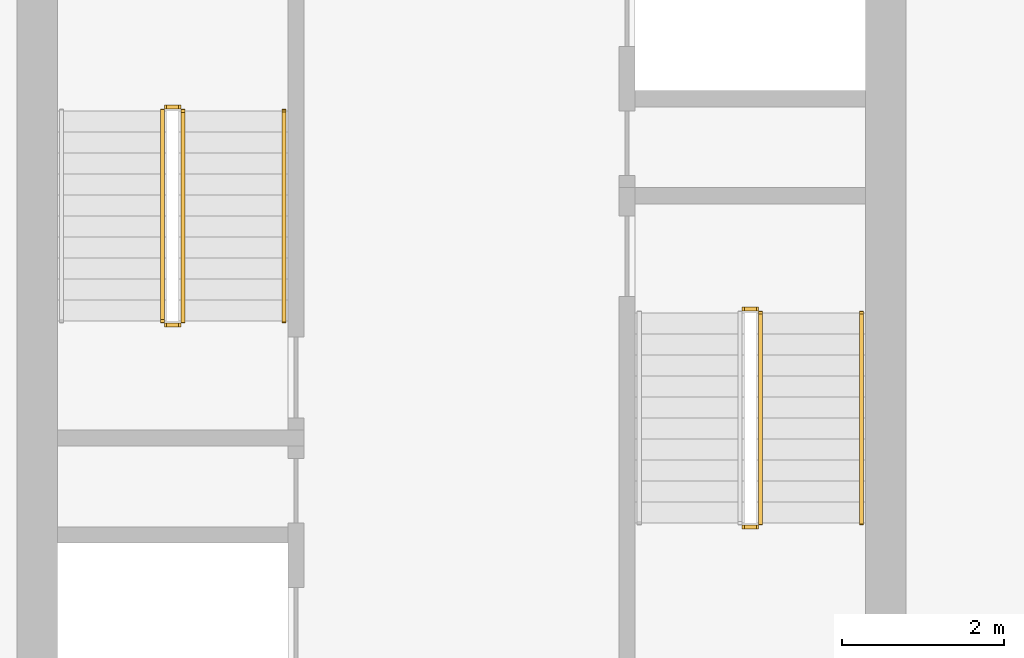
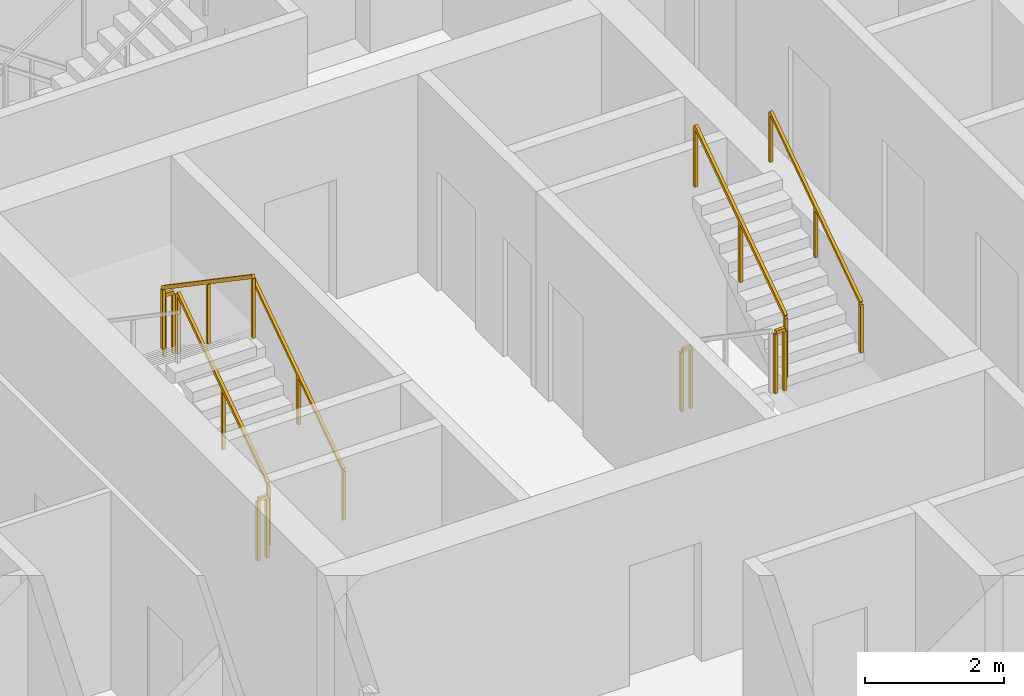
# One storey, part 13 of 16: 9 railings.
"""IFC4 building model written with IfcOpenShell, lengths in metres."""

from ifc_helpers import new_model, si_unit, direction, frame, origin, origin_2d, place, context, subcontext, project, spatial, rectangle, extrude, material, type_object, element, save


model = new_model("IFC4")

# Units and contexts
model_context = context("Model", 3, precision=1e-05, world=origin(), true_north=direction((0.0, 1.0)))
body_context = subcontext(model_context, "Body", "Model", "MODEL_VIEW")
ifc_project = project(units=[si_unit("LENGTHUNIT", "METRE"), si_unit("AREAUNIT", "SQUARE_METRE"), si_unit("VOLUMEUNIT", "CUBIC_METRE"), si_unit("PLANEANGLEUNIT", "RADIAN"), si_unit("MASSUNIT", "GRAM", prefix="KILO")], contexts=[model_context])

# Site, building, storey
site_placement = place(None, origin())
site = spatial("IfcSite", under=ifc_project, at=site_placement, CompositionType="ELEMENT")
building_placement = place(site_placement, origin())
building = spatial("IfcBuilding", under=site, at=building_placement, Name="Khepri Terraces", CompositionType="ELEMENT")
storey_placement = place(building_placement, frame((0.0, 0.0, 172.800048828125)))
storey = spatial("IfcBuildingStorey", under=building, at=storey_placement, Name="L41", CompositionType="ELEMENT", Elevation=172.800048828125)

# Railings
ifc_material = material(Name="Stainless steel 316", Category="steel")
railing_type_1 = type_object("IfcRailingType", Name="RL-CORE-GUARD", PredefinedType="GUARDRAIL", material=ifc_material)
railing_1_placement = place(storey_placement, frame((-3.449951171875, -0.050048828125, 0.17724609375)))
element("IfcRailing", 1, at=railing_1_placement, inside=storey, type_object=railing_type_1, Name="L41 ST-1 stair guard 1", PredefinedType="GUARDRAIL", context=body_context, shape_type="SweptSolid", body=[
    extrude(rectangle(XDim=0.050048828125, YDim=0.06005859375, at=origin_2d()), frame((0.0, 0.0, 1.070068359375), z_axis=(0.0, 0.826240473404, 0.563317565952), x_axis=(-1.0, 0.0, 0.0)), (0.0, 0.0, 1.0), 3.14697265625),
    extrude(rectangle(XDim=0.050048828125, YDim=0.050048828125, at=origin_2d()), origin(), (0.0, 0.0, 1.0), 1.0400390625),
    extrude(rectangle(XDim=0.050048828125, YDim=0.050048828125, at=origin_2d()), frame((0.0, 1.300048828125, 0.88623046875)), (0.0, 0.0, 1.0), 1.0400390625),
    extrude(rectangle(XDim=0.050048828125, YDim=0.050048828125, at=origin_2d()), frame((0.0, 2.60009765625, 1.772705078125)), (0.0, 0.0, 1.0), 1.0400390625),
])
railing_2_placement = place(storey_placement, frame((-3.5, 2.60009765625, 1.949951171875)))
element("IfcRailing", 2, at=railing_2_placement, inside=storey, type_object=railing_type_1, Name="L41 ST-1 stair guard 2", PredefinedType="GUARDRAIL", context=body_context, shape_type="SweptSolid", body=[
    extrude(rectangle(XDim=0.050048828125, YDim=0.06005859375, at=origin_2d()), frame((0.0, 0.0, 1.070068359375), z_axis=(-1.0, 0.0, 0.0), x_axis=(0.0, -1.0, 0.0)), (0.0, 0.0, 1.0), 0.14990234375),
    extrude(rectangle(XDim=0.050048828125, YDim=0.050048828125, at=origin_2d()), origin(), (0.0, 0.0, 1.0), 1.0400390625),
    extrude(rectangle(XDim=0.050048828125, YDim=0.050048828125, at=origin_2d()), frame((-0.14990234375, 0.0, 0.0)), (0.0, 0.0, 1.0), 1.0400390625),
])
railing_3_placement = place(storey_placement, frame((-3.699951171875, 2.550048828125, 2.127197265625)))
element("IfcRailing", 3, at=railing_3_placement, inside=storey, type_object=railing_type_1, Name="L41 ST-1 stair guard 3", PredefinedType="GUARDRAIL", context=body_context, shape_type="SweptSolid", body=[
    extrude(rectangle(XDim=0.050048828125, YDim=0.06005859375, at=origin_2d()), frame((0.0, 0.0, 1.070068359375), z_axis=(0.0, -0.826240473404, 0.563317565952), x_axis=(1.0, 0.0, 0.0)), (0.0, 0.0, 1.0), 3.14697265625),
    extrude(rectangle(XDim=0.050048828125, YDim=0.050048828125, at=origin_2d()), origin(), (0.0, 0.0, 1.0), 1.0400390625),
    extrude(rectangle(XDim=0.050048828125, YDim=0.050048828125, at=origin_2d()), frame((0.0, -1.300048828125, 0.88623046875)), (0.0, 0.0, 1.0), 1.0400390625),
    extrude(rectangle(XDim=0.050048828125, YDim=0.050048828125, at=origin_2d()), frame((0.0, -2.60009765625, 1.772705078125)), (0.0, 0.0, 1.0), 1.0400390625),
])
railing_4_placement = place(storey_placement, frame((-3.5, -0.10009765625, 0.0)))
element("IfcRailing", 4, at=railing_4_placement, inside=storey, type_object=railing_type_1, Name="L41 ST-1 stair guard 4", PredefinedType="GUARDRAIL", context=body_context, shape_type="SweptSolid", body=[
    extrude(rectangle(XDim=0.050048828125, YDim=0.06005859375, at=origin_2d()), frame((0.0, 0.0, 1.070068359375), z_axis=(-1.0, 0.0, 0.0), x_axis=(0.0, -1.0, 0.0)), (0.0, 0.0, 1.0), 0.14990234375),
    extrude(rectangle(XDim=0.050048828125, YDim=0.050048828125, at=origin_2d()), origin(), (0.0, 0.0, 1.0), 1.0400390625),
    extrude(rectangle(XDim=0.050048828125, YDim=0.050048828125, at=origin_2d()), frame((-0.14990234375, 0.0, 0.0)), (0.0, 0.0, 1.0), 1.0400390625),
])
railing_5_placement = place(storey_placement, frame((3.5, -2.60009765625, 1.949951171875)))
element("IfcRailing", 5, at=railing_5_placement, inside=storey, type_object=railing_type_1, Name="L41 ST-2 stair guard 2", PredefinedType="GUARDRAIL", context=body_context, shape_type="SweptSolid", body=[
    extrude(rectangle(XDim=0.050048828125, YDim=0.06005859375, at=origin_2d()), frame((0.0, 0.0, 1.070068359375), z_axis=(1.0, 0.0, 0.0), x_axis=(0.0, 1.0, 0.0)), (0.0, 0.0, 1.0), 0.14990234375),
    extrude(rectangle(XDim=0.050048828125, YDim=0.050048828125, at=origin_2d()), origin(), (0.0, 0.0, 1.0), 1.0400390625),
    extrude(rectangle(XDim=0.050048828125, YDim=0.050048828125, at=origin_2d()), frame((0.14990234375, 0.0, 0.0)), (0.0, 0.0, 1.0), 1.0400390625),
])
railing_6_placement = place(storey_placement, frame((3.699951171875, -2.550048828125, 2.127197265625)))
element("IfcRailing", 6, at=railing_6_placement, inside=storey, type_object=railing_type_1, Name="L41 ST-2 stair guard 3", PredefinedType="GUARDRAIL", context=body_context, shape_type="SweptSolid", body=[
    extrude(rectangle(XDim=0.050048828125, YDim=0.06005859375, at=origin_2d()), frame((0.0, 0.0, 1.070068359375), z_axis=(0.0, 0.826240473404, 0.563317565952), x_axis=(-1.0, 0.0, 0.0)), (0.0, 0.0, 1.0), 3.14697265625),
    extrude(rectangle(XDim=0.050048828125, YDim=0.050048828125, at=origin_2d()), origin(), (0.0, 0.0, 1.0), 1.0400390625),
    extrude(rectangle(XDim=0.050048828125, YDim=0.050048828125, at=origin_2d()), frame((0.0, 1.300048828125, 0.88623046875)), (0.0, 0.0, 1.0), 1.0400390625),
    extrude(rectangle(XDim=0.050048828125, YDim=0.050048828125, at=origin_2d()), frame((0.0, 2.60009765625, 1.772705078125)), (0.0, 0.0, 1.0), 1.0400390625),
])
railing_7_placement = place(storey_placement, frame((3.5, 0.10009765625, 0.0)))
element("IfcRailing", 7, at=railing_7_placement, inside=storey, type_object=railing_type_1, Name="L41 ST-2 stair guard 4", PredefinedType="GUARDRAIL", context=body_context, shape_type="SweptSolid", body=[
    extrude(rectangle(XDim=0.050048828125, YDim=0.06005859375, at=origin_2d()), frame((0.0, 0.0, 1.070068359375), z_axis=(1.0, 0.0, 0.0), x_axis=(0.0, 1.0, 0.0)), (0.0, 0.0, 1.0), 0.14990234375),
    extrude(rectangle(XDim=0.050048828125, YDim=0.050048828125, at=origin_2d()), origin(), (0.0, 0.0, 1.0), 1.0400390625),
    extrude(rectangle(XDim=0.050048828125, YDim=0.050048828125, at=origin_2d()), frame((0.14990234375, 0.0, 0.0)), (0.0, 0.0, 1.0), 1.0400390625),
])
railing_type_2 = type_object("IfcRailingType", Name="RL-CORE-HANDRAIL", PredefinedType="HANDRAIL", material=ifc_material)
for number, where, name in (
    (8, (-2.199951171875, -0.050048828125, 0.17724609375), "L41 ST-1 stair handrail 1"),
    (9, (4.949951171875, -2.550048828125, 2.127197265625), "L41 ST-2 stair handrail 2"),
):
    element("IfcRailing", number, at=place(storey_placement, frame(where)), inside=storey, type_object=railing_type_2, Name=name, PredefinedType="HANDRAIL", context=body_context, shape_type="SweptSolid", body=[
        extrude(rectangle(XDim=0.050048828125, YDim=0.050048828125, at=origin_2d()), frame((0.0, 0.0, 0.875), z_axis=(0.0, 0.826240473404, 0.563317565952), x_axis=(-1.0, 0.0, 0.0)), (0.0, 0.0, 1.0), 3.14697265625),
        extrude(rectangle(XDim=0.050048828125, YDim=0.050048828125, at=origin_2d()), origin(), (0.0, 0.0, 1.0), 0.849853515625),
        extrude(rectangle(XDim=0.050048828125, YDim=0.050048828125, at=origin_2d()), frame((0.0, 1.300048828125, 0.88623046875)), (0.0, 0.0, 1.0), 0.849853515625),
        extrude(rectangle(XDim=0.050048828125, YDim=0.050048828125, at=origin_2d()), frame((0.0, 2.60009765625, 1.772705078125)), (0.0, 0.0, 1.0), 0.849853515625),
    ])

save(model, "model.ifc")
